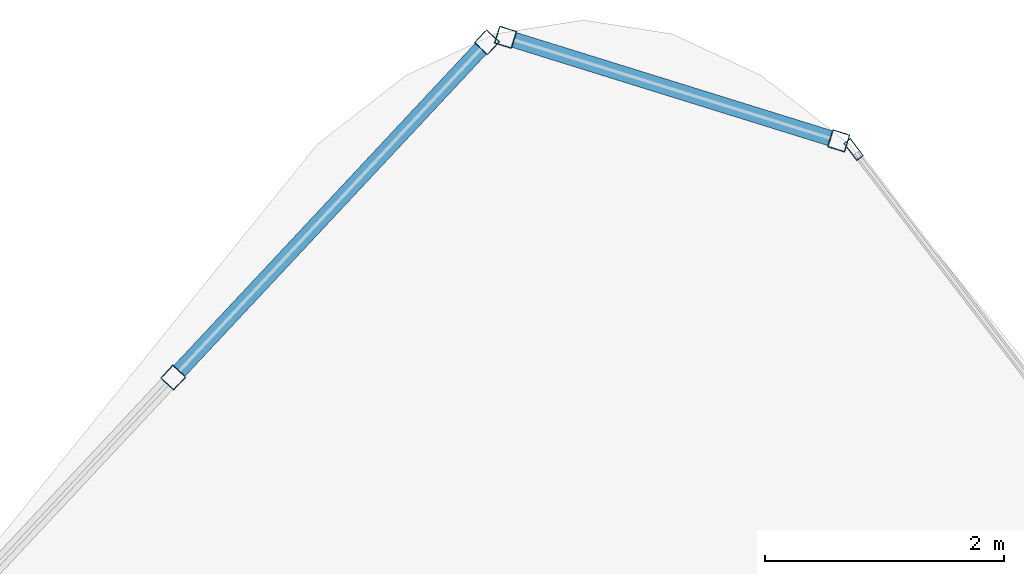
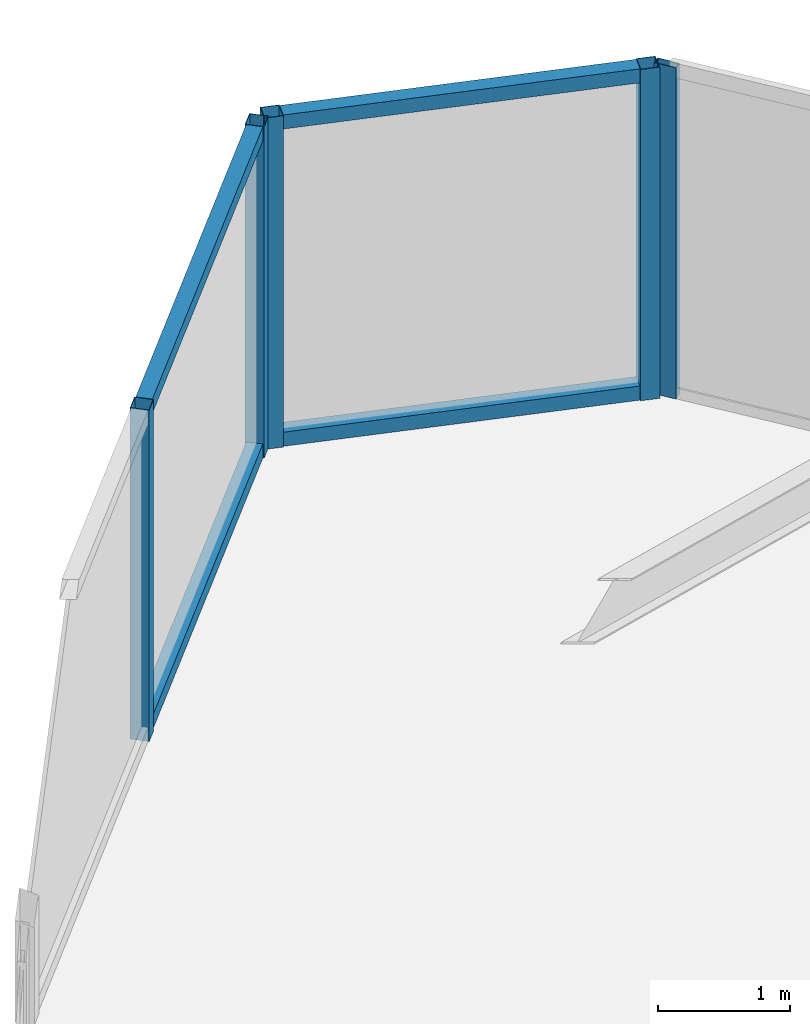
# One storey, part 24 of 34: 9 members, 3 elements without a shape of their own.
"""IFC4 building model written with IfcOpenShell, lengths in metres."""

from ifc_helpers import new_model, si_unit, direction, frame, origin, origin_2d, place, context, subcontext, project, spatial, hollow_rectangle, extrude, material, layer, layer_set, material_profile, profile_set, type_object, element, aggregate, save


model = new_model("IFC4")

# Units and contexts
model_context = context("Model", 3, precision=1e-05, world=origin(), true_north=direction((0.0, 1.0)))
body_context = subcontext(model_context, "Body", "Model", "MODEL_VIEW")
ifc_project = project(units=[si_unit("LENGTHUNIT", "METRE"), si_unit("AREAUNIT", "SQUARE_METRE"), si_unit("VOLUMEUNIT", "CUBIC_METRE"), si_unit("PLANEANGLEUNIT", "RADIAN"), si_unit("MASSUNIT", "GRAM", prefix="KILO")], contexts=[model_context])

# Site, building, storey
site_placement = place(None, origin())
site = spatial("IfcSite", under=ifc_project, at=site_placement, CompositionType="ELEMENT")
building_placement = place(site_placement, origin())
building = spatial("IfcBuilding", under=site, at=building_placement, Name="Orvanel Arch Residences", CompositionType="ELEMENT")
storey_placement = place(building_placement, frame((0.0, 0.0, 77.449951171875)))
storey = spatial("IfcBuildingStorey", under=building, at=storey_placement, Name="L21", CompositionType="ELEMENT", Elevation=77.449951171875)

# Curtain wall, members
ifc_material = material(Name="Bronze-anodised aluminium AA6063-T6", Category="aluminium")
ifc_layer_1 = layer(ifc_material, 0.18994140625)
ifc_layer_set_1 = layer_set([ifc_layer_1], Name="Bronze-anodised aluminium AA6063-T6")
curtain_wall_type_1 = type_object("IfcCurtainWallType", Name="CW5-CRN-SYS", PredefinedType="NOTDEFINED", material=ifc_layer_set_1)
curtain_wall_1_placement = place(storey_placement, origin())
curtain_wall_1 = element("IfcCurtainWall", 1, at=curtain_wall_1_placement, inside=storey, type_object=curtain_wall_type_1, Name="L21 CW5-CRN-SYS Unitised Curtain Wall", PredefinedType="NOTDEFINED")
ifc_material_profile_1 = material_profile(ifc_material, hollow_rectangle(XDim=0.14990234375, YDim=0.14990234375, WallThickness=0.0048828125, at=origin_2d()), Name="ALU150x150x5")
ifc_profile_set_1 = profile_set([ifc_material_profile_1], Name="Bronze-anodised aluminium AA6063-T6")
member_type_1 = type_object("IfcMemberType", Name="MUL-150x150", PredefinedType="MULLION", material=ifc_profile_set_1)
member_1_placement = place(storey_placement, frame((35.13427734375, 50.044189453125, 0.0), z_axis=(0.0, 0.0, 1.0), x_axis=(-0.296993893392, -0.954879378397, 0.0)))
member_1 = element("IfcMember", 2, at=member_1_placement, type_object=member_type_1, Name="CW-S5 mullion 1", PredefinedType="MULLION", context=body_context, shape_type="SweptSolid", body=[
    extrude(hollow_rectangle(XDim=0.14990234375, YDim=0.14990234375, WallThickness=0.0048828125, at=origin_2d()), origin(), (0.0, 0.0, 1.0), 3.06005859375),
])
member_2_placement = place(storey_placement, frame((32.3486328125, 50.91064453125, 0.0), z_axis=(0.0, 0.0, 1.0), x_axis=(-0.296993893392, -0.954879378397, 0.0)))
member_2 = element("IfcMember", 3, at=member_2_placement, type_object=member_type_1, Name="CW-S5 mullion 2", PredefinedType="MULLION", context=body_context, shape_type="SweptSolid", body=[
    extrude(hollow_rectangle(XDim=0.14990234375, YDim=0.14990234375, WallThickness=0.0048828125, at=origin_2d()), origin(), (0.0, 0.0, 1.0), 3.06005859375),
])

curtain_wall_2_placement = place(storey_placement, origin())
curtain_wall_2 = element("IfcCurtainWall", 4, at=curtain_wall_2_placement, inside=storey, type_object=curtain_wall_type_1, Name="L21 CW5-CRN-SYS Unitised Curtain Wall", PredefinedType="NOTDEFINED")
member_3_placement = place(storey_placement, frame((32.19287109375, 50.869140625, 0.0), z_axis=(0.0, 0.0, 1.0), x_axis=(0.730281692072, -0.683146141191, 0.0)))
member_3 = element("IfcMember", 5, at=member_3_placement, type_object=member_type_1, Name="CW-S5 mullion 1", PredefinedType="MULLION", context=body_context, shape_type="SweptSolid", body=[
    extrude(hollow_rectangle(XDim=0.14990234375, YDim=0.14990234375, WallThickness=0.0048828125, at=origin_2d()), origin(), (0.0, 0.0, 1.0), 3.06005859375),
])
member_4_placement = place(storey_placement, frame((29.570068359375, 48.0654296875, 0.0), z_axis=(0.0, 0.0, 1.0), x_axis=(0.730281692072, -0.683146141191, 0.0)))
member_4 = element("IfcMember", 6, at=member_4_placement, type_object=member_type_1, Name="CW-S5 mullion 2", PredefinedType="MULLION", context=body_context, shape_type="SweptSolid", body=[
    extrude(hollow_rectangle(XDim=0.14990234375, YDim=0.14990234375, WallThickness=0.0048828125, at=origin_2d()), origin(), (0.0, 0.0, 1.0), 3.06005859375),
])

# Curtain wall, member
ifc_layer_2 = layer(ifc_material, 0.179931640625)
ifc_layer_set_2 = layer_set([ifc_layer_2], Name="Bronze-anodised aluminium AA6063-T6")
curtain_wall_type_2 = type_object("IfcCurtainWallType", Name="CW2-LOW-SYS", PredefinedType="NOTDEFINED", material=ifc_layer_set_2)
curtain_wall_3_placement = place(storey_placement, origin())
curtain_wall_3 = element("IfcCurtainWall", 7, at=curtain_wall_3_placement, inside=storey, type_object=curtain_wall_type_2, Name="L21 CW2-LOW-SYS Unitised Curtain Wall", PredefinedType="NOTDEFINED")
ifc_material_profile_2 = material_profile(ifc_material, hollow_rectangle(XDim=0.070068359375, YDim=0.179931640625, WallThickness=0.00439453125, at=origin_2d()), Name="ALU180x70x4.5")
ifc_profile_set_2 = profile_set([ifc_material_profile_2], Name="Bronze-anodised aluminium AA6063-T6")
member_type_2 = type_object("IfcMemberType", Name="MUL-180x70", PredefinedType="MULLION", material=ifc_profile_set_2)
member_5_placement = place(storey_placement, frame((35.25830078125, 49.97216796875, 0.0), z_axis=(0.0, 0.0, 1.0), x_axis=(-0.794739834664, -0.606950241122, 0.0)))
member_5 = element("IfcMember", 8, at=member_5_placement, type_object=member_type_2, Name="CW-S2 mullion 4", PredefinedType="MULLION", context=body_context, shape_type="SweptSolid", body=[
    extrude(hollow_rectangle(XDim=0.070068359375, YDim=0.179931640625, WallThickness=0.00439453125, at=origin_2d()), origin(), (0.0, 0.0, 1.0), 3.06005859375),
])
aggregate(curtain_wall_3, [member_5])

# Member
ifc_material_profile_3 = material_profile(ifc_material, hollow_rectangle(XDim=0.1298828125, YDim=0.1298828125, WallThickness=0.00439453125, at=origin_2d()), Name="ALU130x130x4.5")
ifc_profile_set_3 = profile_set([ifc_material_profile_3], Name="Bronze-anodised aluminium AA6063-T6")
member_type_3 = type_object("IfcMemberType", Name="TRN-130x130", PredefinedType="USERDEFINED", material=ifc_profile_set_3)
member_6_placement = place(storey_placement, frame((35.062744140625, 50.066650390625, 0.06494140625), z_axis=(-0.954893471113, 0.296948579431, 0.0), x_axis=(-0.296948579431, -0.954893471113, 0.0)))
member_6 = element("IfcMember", 9, at=member_6_placement, type_object=member_type_3, Name="CW-S5 transom 1.1", ObjectType="TRANSOM", PredefinedType="USERDEFINED", context=body_context, shape_type="SweptSolid", body=[
    extrude(hollow_rectangle(XDim=0.1298828125, YDim=0.1298828125, WallThickness=0.00439453125, at=origin_2d()), origin(), (0.0, 0.0, 1.0), 2.767333984375),
])

member_7_placement = place(storey_placement, frame((35.062744140625, 50.066650390625, 2.9951171875), z_axis=(-0.954893471113, 0.296948579431, 0.0), x_axis=(-0.296948579431, -0.954893471113, 0.0)))
member_7 = element("IfcMember", 10, at=member_7_placement, type_object=member_type_3, Name="CW-S5 transom 1.2", ObjectType="TRANSOM", PredefinedType="USERDEFINED", context=body_context, shape_type="SweptSolid", body=[
    extrude(hollow_rectangle(XDim=0.1298828125, YDim=0.1298828125, WallThickness=0.00439453125, at=origin_2d()), origin(), (0.0, 0.0, 1.0), 2.767333984375),
])

aggregate(curtain_wall_1, [member_1, member_2, member_6, member_7])

member_8_placement = place(storey_placement, frame((32.1416015625, 50.814453125, 0.06494140625), z_axis=(-0.68315485184, -0.730273543549, 0.0), x_axis=(0.730273543549, -0.68315485184, 0.0)))
member_8 = element("IfcMember", 11, at=member_8_placement, type_object=member_type_3, Name="CW-S5 transom 1.1", ObjectType="TRANSOM", PredefinedType="USERDEFINED", context=body_context, shape_type="SweptSolid", body=[
    extrude(hollow_rectangle(XDim=0.1298828125, YDim=0.1298828125, WallThickness=0.00439453125, at=origin_2d()), origin(), (0.0, 0.0, 1.0), 3.689208984375),
])

member_9_placement = place(storey_placement, frame((32.1416015625, 50.814453125, 2.9951171875), z_axis=(-0.68315485184, -0.730273543549, 0.0), x_axis=(0.730273543549, -0.68315485184, 0.0)))
member_9 = element("IfcMember", 12, at=member_9_placement, type_object=member_type_3, Name="CW-S5 transom 1.2", ObjectType="TRANSOM", PredefinedType="USERDEFINED", context=body_context, shape_type="SweptSolid", body=[
    extrude(hollow_rectangle(XDim=0.1298828125, YDim=0.1298828125, WallThickness=0.00439453125, at=origin_2d()), origin(), (0.0, 0.0, 1.0), 3.689208984375),
])

aggregate(curtain_wall_2, [member_3, member_4, member_8, member_9])

save(model, "model.ifc")
